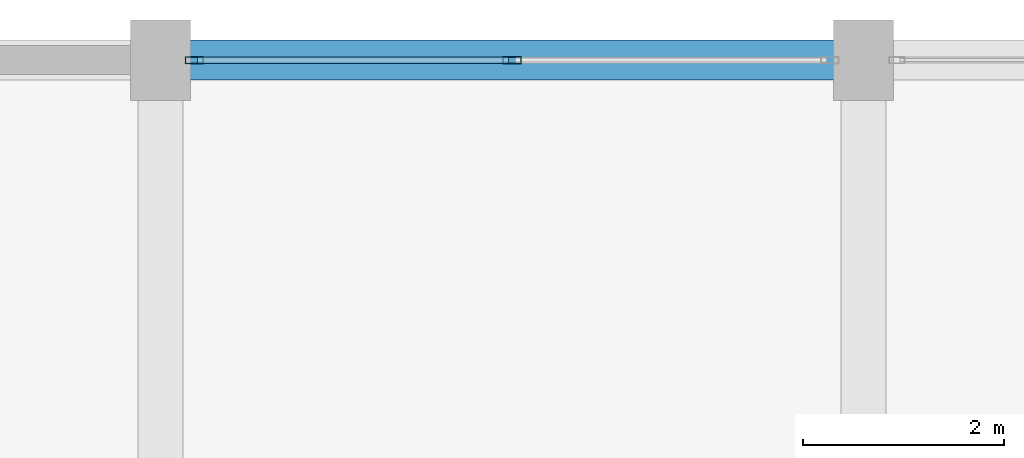
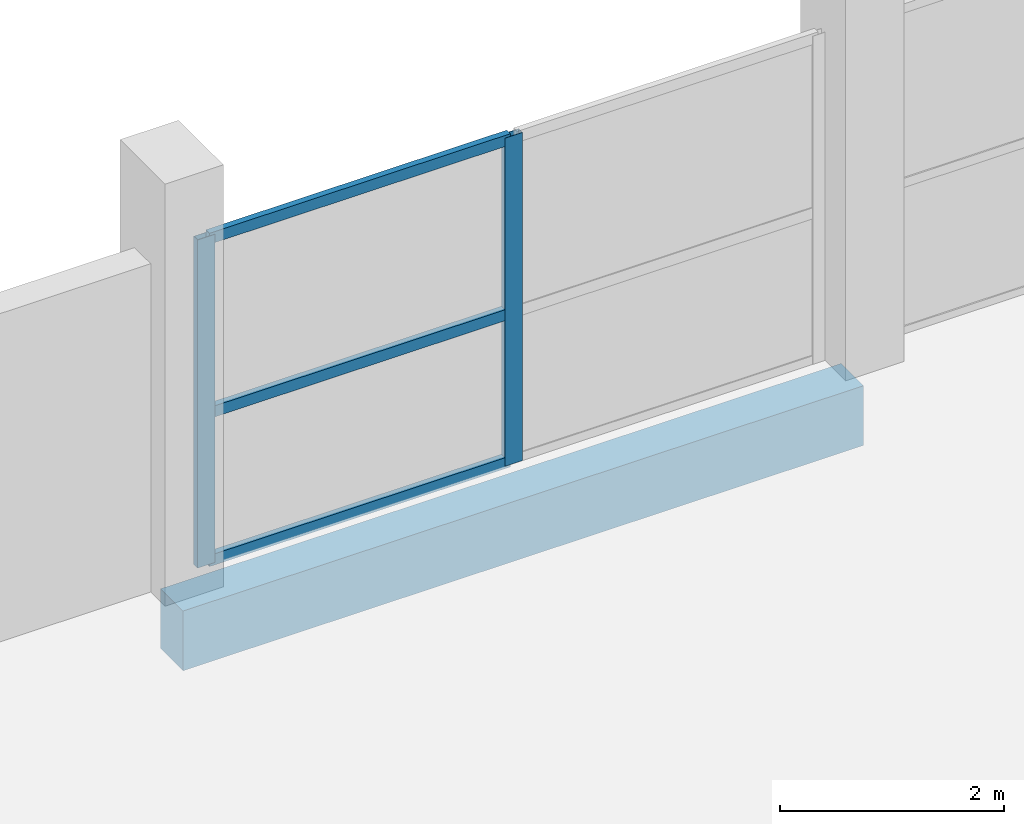
# One storey, part 31 of 58: 5 members, 1 beam, 1 element without a shape of its own.
"""IFC4 building model written with IfcOpenShell, lengths in metres."""

from ifc_helpers import new_model, si_unit, direction, frame, origin, origin_2d, place, context, subcontext, project, spatial, rectangle, hollow_rectangle, extrude, material, layer, layer_set, material_profile, profile_set, type_object, element, aggregate, save


model = new_model("IFC4")

# Units and contexts
model_context = context("Model", 3, precision=1e-05, world=origin(), true_north=direction((0.0, 1.0)))
body_context = subcontext(model_context, "Body", "Model", "MODEL_VIEW")
ifc_project = project(units=[si_unit("LENGTHUNIT", "METRE"), si_unit("AREAUNIT", "SQUARE_METRE"), si_unit("VOLUMEUNIT", "CUBIC_METRE"), si_unit("PLANEANGLEUNIT", "RADIAN"), si_unit("MASSUNIT", "GRAM", prefix="KILO")], contexts=[model_context])

# Site, building, storey
site_placement = place(None, origin())
site = spatial("IfcSite", under=ifc_project, at=site_placement, CompositionType="ELEMENT")
building_placement = place(site_placement, origin())
building = spatial("IfcBuilding", under=site, at=building_placement, Name="Sillaruma Civic Art Gallery", CompositionType="ELEMENT")
storey_placement = place(building_placement, frame((0.0, 0.0, 28.56005859375)))
storey = spatial("IfcBuildingStorey", under=building, at=storey_placement, Name="L05", CompositionType="ELEMENT", Elevation=28.56005859375)

# Beam
ifc_material_1 = material(Name="Concrete H35 (35 MPa)", Category="concrete")
ifc_material_profile_1 = material_profile(ifc_material_1, rectangle(XDim=0.39990234375, YDim=0.64990234375, at=origin_2d()), Name="RCB400x650")
ifc_profile_set_1 = profile_set([ifc_material_profile_1], Name="Concrete H35 (35 MPa)")
beam_type = type_object("IfcBeamType", Name="BM-SPANDREL-RCB400x650", PredefinedType="SPANDREL", material=ifc_profile_set_1)
beam_placement = place(storey_placement, frame((70.0, 99.0, -0.60498046875), z_axis=(1.0, 0.0, 0.0), x_axis=(0.0, 1.0, 0.0)))
element("IfcBeam", 1, at=beam_placement, inside=storey, type_object=beam_type, Name="Beam BS-02 (L04:11:G-H)", PredefinedType="SPANDREL", context=body_context, shape_type="SweptSolid", body=[
    extrude(rectangle(XDim=0.39990234375, YDim=0.64990234375, at=origin_2d()), origin(), (0.0, 0.0, 1.0), 7.0),
])

# Curtain wall, members
ifc_material_2 = material(Name="Thermally Broken Extruded Aluminium 6063-T6", Category="aluminium")
ifc_layer = layer(ifc_material_2, 0.179931640625, Name="Thermally Broken Extruded Aluminium 6063-T6")
ifc_layer_set = layer_set([ifc_layer], Name="Thermally Broken Extruded Aluminium 6063-T6")
curtain_wall_type = type_object("IfcCurtainWallType", Name="CW-UNI-36", PredefinedType="NOTDEFINED", material=ifc_layer_set)
curtain_wall_placement = place(storey_placement, origin())
curtain_wall = element("IfcCurtainWall", 2, at=curtain_wall_placement, inside=storey, type_object=curtain_wall_type, Name="Unitised Curtain Wall CW-36 (CW-L05-N-2)", PredefinedType="NOTDEFINED")
ifc_material_profile_2 = material_profile(ifc_material_2, hollow_rectangle(XDim=0.070068359375, YDim=0.179931640625, WallThickness=0.00390625, at=origin_2d()), Name="CWM70x180")
ifc_profile_set_2 = profile_set([ifc_material_profile_2], Name="Thermally Broken Extruded Aluminium 6063-T6")
member_type_1 = type_object("IfcMemberType", Name="MEM-MUL-CWM70x180", PredefinedType="MULLION", material=ifc_profile_set_2)
member_1_placement = place(storey_placement, frame((70.3349609375, 99.0, 0.0), z_axis=(0.0, 0.0, 1.0), x_axis=(0.0, 1.0, 0.0)))
member_1 = element("IfcMember", 3, at=member_1_placement, type_object=member_type_1, Name="CW-36 mullion 1", PredefinedType="MULLION", context=body_context, shape_type="SweptSolid", body=[
    extrude(hollow_rectangle(XDim=0.070068359375, YDim=0.179931640625, WallThickness=0.00390625, at=origin_2d()), origin(), (0.0, 0.0, 1.0), 3.56982421875),
])
member_2_placement = place(storey_placement, frame((73.5, 99.0, 0.0), z_axis=(0.0, 0.0, 1.0), x_axis=(0.0, 1.0, 0.0)))
member_2 = element("IfcMember", 4, at=member_2_placement, type_object=member_type_1, Name="CW-36 mullion 2", PredefinedType="MULLION", context=body_context, shape_type="SweptSolid", body=[
    extrude(hollow_rectangle(XDim=0.070068359375, YDim=0.179931640625, WallThickness=0.00390625, at=origin_2d()), origin(), (0.0, 0.0, 1.0), 3.56982421875),
])
ifc_material_profile_3 = material_profile(ifc_material_2, hollow_rectangle(XDim=0.06494140625, YDim=0.1201171875, WallThickness=0.00341796875, at=origin_2d()), Name="CWT65x120")
ifc_profile_set_3 = profile_set([ifc_material_profile_3], Name="Thermally Broken Extruded Aluminium 6063-T6")
member_type_2 = type_object("IfcMemberType", Name="MEM-TRN-CWT65x120", PredefinedType="USERDEFINED", material=ifc_profile_set_3)
member_3_placement = place(storey_placement, frame((70.3701171875, 99.0, 0.032470703125), z_axis=(1.0, 0.0, 0.0), x_axis=(0.0, 1.0, 0.0)))
member_3 = element("IfcMember", 5, at=member_3_placement, type_object=member_type_2, Name="CW-36 transom 1.1", ObjectType="TRANSOM", PredefinedType="USERDEFINED", context=body_context, shape_type="SweptSolid", body=[
    extrude(hollow_rectangle(XDim=0.06494140625, YDim=0.1201171875, WallThickness=0.00341796875, at=origin_2d()), origin(), (0.0, 0.0, 1.0), 3.094970703125),
])
member_4_placement = place(storey_placement, frame((70.3701171875, 99.0, 1.64208984375), z_axis=(1.0, 0.0, 0.0), x_axis=(0.0, 1.0, 0.0)))
member_4 = element("IfcMember", 6, at=member_4_placement, type_object=member_type_2, Name="CW-36 transom 1.2", ObjectType="TRANSOM", PredefinedType="USERDEFINED", context=body_context, shape_type="SweptSolid", body=[
    extrude(hollow_rectangle(XDim=0.06494140625, YDim=0.1201171875, WallThickness=0.00341796875, at=origin_2d()), origin(), (0.0, 0.0, 1.0), 3.094970703125),
])
member_5_placement = place(storey_placement, frame((70.3701171875, 99.0, 3.537353515625), z_axis=(1.0, 0.0, 0.0), x_axis=(0.0, 1.0, 0.0)))
member_5 = element("IfcMember", 7, at=member_5_placement, type_object=member_type_2, Name="CW-36 transom 1.3", ObjectType="TRANSOM", PredefinedType="USERDEFINED", context=body_context, shape_type="SweptSolid", body=[
    extrude(hollow_rectangle(XDim=0.06494140625, YDim=0.1201171875, WallThickness=0.00341796875, at=origin_2d()), origin(), (0.0, 0.0, 1.0), 3.094970703125),
])
aggregate(curtain_wall, [member_1, member_2, member_3, member_4, member_5])

save(model, "model.ifc")
